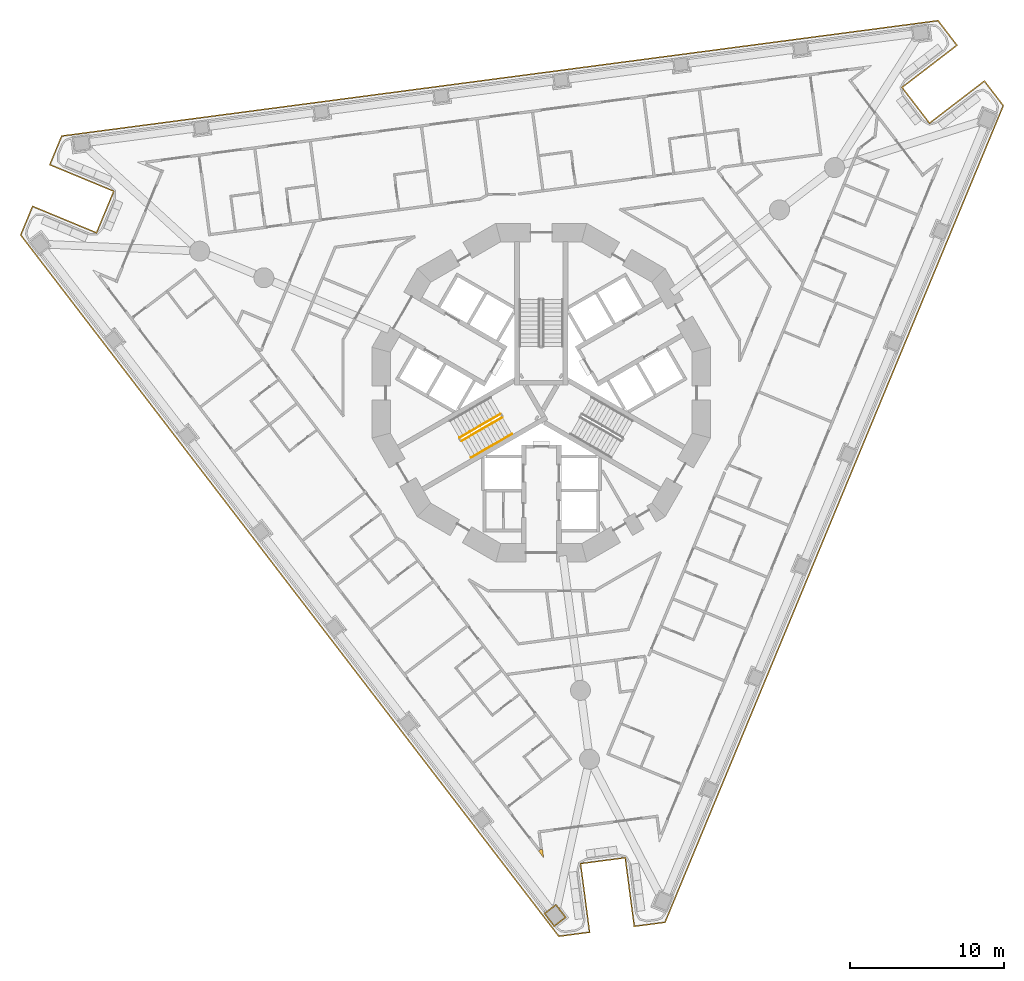
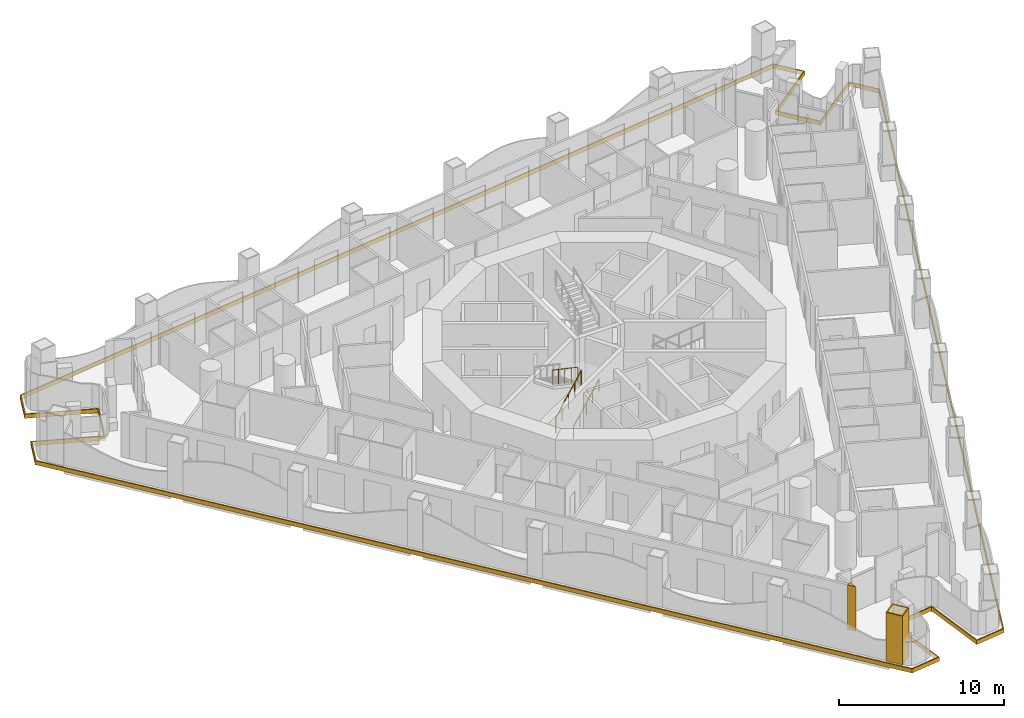
# One storey, part 13 of 19: 4 railings, 3 coverings.
"""IFC4 building model written with IfcOpenShell, lengths in metres."""

from ifc_helpers import new_model, si_unit, direction, frame, origin, origin_2d, place, context, subcontext, project, spatial, polyline, circle, outline, extrude, material, layer, layer_set, type_object, element, save


model = new_model("IFC4")

# Units and contexts
model_context = context("Model", 3, precision=1e-05, world=origin(), true_north=direction((0.0, 1.0)))
body_context = subcontext(model_context, "Body", "Model", "MODEL_VIEW")
ifc_project = project(units=[si_unit("LENGTHUNIT", "METRE"), si_unit("AREAUNIT", "SQUARE_METRE"), si_unit("VOLUMEUNIT", "CUBIC_METRE"), si_unit("PLANEANGLEUNIT", "RADIAN"), si_unit("MASSUNIT", "GRAM", prefix="KILO")], contexts=[model_context])

# Site, building, storey
site_placement = place(None, origin())
site = spatial("IfcSite", under=ifc_project, at=site_placement, CompositionType="ELEMENT")
building_placement = place(site_placement, origin())
building = spatial("IfcBuilding", under=site, at=building_placement, Name="Trine Commons Tower", CompositionType="ELEMENT")
storey_placement = place(building_placement, frame((0.0, 0.0, 72.0)))
storey = spatial("IfcBuildingStorey", under=building, at=storey_placement, Name="L17", CompositionType="ELEMENT", Elevation=72.0)

# Coverings
ifc_material_1 = material(Name="Aluminium-framed insulated wall panel", Category="aluminium")
ifc_layer_1 = layer(ifc_material_1, 0.14990234375)
ifc_layer_set_1 = layer_set([ifc_layer_1], Name="Aluminium-framed insulated wall panel")
covering_type_1 = type_object("IfcCoveringType", Name="Glazing corner post, aluminium", PredefinedType="CLADDING", material=ifc_layer_set_1)
covering_1_placement = place(storey_placement, origin())
element("IfcCovering", 1, at=covering_1_placement, inside=storey, type_object=covering_type_1, Name="Glazing corner post 2-12", PredefinedType="CLADDING", context=body_context, shape_type="SweptSolid", body=[
    extrude(outline(polyline([(79.818603515625, 32.697021484375), (80.159423828125, 32.2529296875), (80.086181640625, 32.80810546875), (79.9375, 32.788330078125), (79.818603515625, 32.697021484375)])), origin(), (0.0, 0.0, 1.0), 3.300048828125),
])
ifc_material_2 = material(Name="Limestone, honed", Category="masonry")
ifc_layer_2 = layer(ifc_material_2, 0.074951171875)
ifc_layer_set_2 = layer_set([ifc_layer_2], Name="Limestone, honed")
covering_type_2 = type_object("IfcCoveringType", Name="Limestone column cladding 75", PredefinedType="CLADDING", material=ifc_layer_set_2)
covering_2_placement = place(storey_placement, origin())
element("IfcCovering", 2, at=covering_2_placement, inside=storey, type_object=covering_type_2, Name="Limestone pier cladding 2-01", PredefinedType="CLADDING", context=body_context, shape_type="SweptSolid", body=[
    extrude(outline(polyline([(80.96142578125, 29.2529296875), (80.16796875, 28.644287109375), (80.837646484375, 27.771484375), (81.631103515625, 28.38037109375), (80.96142578125, 29.2529296875)]), holes=[polyline([(80.947509765625, 29.14794921875), (80.273193359375, 28.63037109375), (80.8515625, 27.876708984375), (81.52587890625, 28.394287109375), (80.947509765625, 29.14794921875)])]), origin(), (0.0, 0.0, 1.0), 3.60009765625),
])
ifc_layer_3 = layer(ifc_material_2, 0.074951171875)
ifc_layer_set_3 = layer_set([ifc_layer_3], Name="Limestone, honed")
covering_type_3 = type_object("IfcCoveringType", Name="Limestone spandrel panel 75", PredefinedType="CLADDING", material=ifc_layer_set_3)
covering_3_placement = place(storey_placement, frame((0.0, 0.0, -0.300048828125)))
element("IfcCovering", 3, at=covering_3_placement, inside=storey, type_object=covering_type_3, Name="Limestone spandrel panel 2-01", PredefinedType="CLADDING", context=body_context, shape_type="SweptSolid", body=[
    extrude(outline(polyline([(85.423583984375, 32.220458984375), (86.010986328125, 27.7587890625), (88.07568359375, 28.03076171875), (110.083740234375, 81.1630859375), (108.816162109375, 82.815185546875), (105.24609375, 80.07568359375), (103.510986328125, 82.3369140625), (107.081298828125, 85.076416015625), (105.8134765625, 86.728515625), (48.79541015625, 79.2216796875), (47.998291015625, 77.2978515625), (52.156005859375, 75.57568359375), (51.065185546875, 72.94287109375), (46.90771484375, 74.664794921875), (46.11083984375, 72.740966796875), (81.120849609375, 27.114990234375), (83.185302734375, 27.386962890625), (82.59814453125, 31.848388671875), (85.423583984375, 32.220458984375)]), holes=[polyline([(108.80224609375, 82.710205078125), (109.998046875, 81.15185546875), (88.02294921875, 28.099365234375), (86.07568359375, 27.843017578125), (85.48828125, 32.304443359375), (82.513916015625, 31.912841796875), (83.101318359375, 27.451416015625), (81.154052734375, 27.195068359375), (46.19677734375, 72.752197265625), (46.948486328125, 74.56689453125), (51.105712890625, 72.8447265625), (52.25390625, 75.616455078125), (48.096435546875, 77.33837890625), (48.847900390625, 79.153076171875), (105.780517578125, 86.6484375), (106.97607421875, 85.090087890625), (103.406005859375, 82.3505859375), (105.232177734375, 79.970703125), (108.80224609375, 82.710205078125)])]), origin(), (0.0, 0.0, 1.0), 0.300048828125),
])

# Railings
ifc_material_3 = material(Name="Stainless steel balustrade", Category="steel")
railing_type_1 = type_object("IfcRailingType", Name="Stair guard, steel balustrade 1100", PredefinedType="GUARDRAIL", material=ifc_material_3)
railing_1_placement = place(storey_placement, frame((74.80517578125, 59.3564453125, 0.14990234375)))
element("IfcRailing", 4, at=railing_1_placement, inside=storey, type_object=railing_type_1, Name="L17 ST2A stair guard 1", PredefinedType="GUARDRAIL", context=body_context, shape_type="SweptSolid", body=[
    extrude(circle(Radius=0.02392578125, at=origin_2d()), frame((0.0, 0.0, 1.076171875), z_axis=(0.763379768245, 0.440728498818, 0.472239049384), x_axis=(-0.499992328818, 0.866029832698, 0.0)), (0.0, 0.0, 1.0), 3.494384765625),
    extrude(circle(Radius=0.02099609375, at=origin_2d()), origin(), (0.0, 0.0, 1.0), 1.052001953125),
    extrude(circle(Radius=0.02099609375, at=origin_2d()), frame((0.6669921875, 0.385009765625, 0.41259765625)), (0.0, 0.0, 1.0), 1.052001953125),
    extrude(circle(Radius=0.02099609375, at=origin_2d()), frame((1.333740234375, 0.77001953125, 0.8251953125)), (0.0, 0.0, 1.0), 1.052001953125),
    extrude(circle(Radius=0.02099609375, at=origin_2d()), frame((2.00048828125, 1.155029296875, 1.237548828125)), (0.0, 0.0, 1.0), 1.052001953125),
    extrude(circle(Radius=0.02099609375, at=origin_2d()), frame((2.66748046875, 1.5400390625, 1.650146484375)), (0.0, 0.0, 1.0), 1.052001953125),
])
railing_2_placement = place(storey_placement, frame((77.34765625, 61.113037109375, 1.949951171875)))
element("IfcRailing", 5, at=railing_2_placement, inside=storey, type_object=railing_type_1, Name="L17 ST2A stair guard 3", PredefinedType="GUARDRAIL", context=body_context, shape_type="SweptSolid", body=[
    extrude(circle(Radius=0.02392578125, at=origin_2d()), frame((0.0, 0.0, 1.076171875), z_axis=(-0.763379768245, -0.440728498818, 0.472239049384), x_axis=(0.499992328818, -0.866029832698, 0.0)), (0.0, 0.0, 1.0), 3.494384765625),
    extrude(circle(Radius=0.02099609375, at=origin_2d()), origin(), (0.0, 0.0, 1.0), 1.052001953125),
    extrude(circle(Radius=0.02099609375, at=origin_2d()), frame((-0.6669921875, -0.385009765625, 0.41259765625)), (0.0, 0.0, 1.0), 1.052001953125),
    extrude(circle(Radius=0.02099609375, at=origin_2d()), frame((-1.333740234375, -0.77001953125, 0.8251953125)), (0.0, 0.0, 1.0), 1.052001953125),
    extrude(circle(Radius=0.02099609375, at=origin_2d()), frame((-2.00048828125, -1.155029296875, 1.237548828125)), (0.0, 0.0, 1.0), 1.052001953125),
    extrude(circle(Radius=0.02099609375, at=origin_2d()), frame((-2.66748046875, -1.5400390625, 1.650146484375)), (0.0, 0.0, 1.0), 1.052001953125),
])
ifc_material_4 = material(Name="Stainless steel handrail", Category="steel")
railing_type_2 = type_object("IfcRailingType", Name="Stair handrail, steel 900", PredefinedType="HANDRAIL", material=ifc_material_4)
railing_3_placement = place(storey_placement, frame((75.43017578125, 58.27392578125, 0.14990234375)))
element("IfcRailing", 6, at=railing_3_placement, inside=storey, type_object=railing_type_2, Name="L17 ST2A stair handrail 1", PredefinedType="HANDRAIL", context=body_context, shape_type="SweptSolid", body=[
    extrude(circle(Radius=0.02099609375, at=origin_2d()), frame((0.0, 0.0, 0.87890625), z_axis=(0.763354580307, 0.440713956853, 0.472293333596), x_axis=(-0.499992328818, 0.866029832698, 0.0)), (0.0, 0.0, 1.0), 1.747314453125),
    extrude(circle(Radius=0.01513671875, at=origin_2d()), origin(), (0.0, 0.0, 1.0), 0.85791015625),
    extrude(circle(Radius=0.01513671875, at=origin_2d()), frame((0.6669921875, 0.385009765625, 0.41259765625)), (0.0, 0.0, 1.0), 0.85791015625),
    extrude(circle(Radius=0.01513671875, at=origin_2d()), frame((1.333740234375, 0.77001953125, 0.8251953125)), (0.0, 0.0, 1.0), 0.85791015625),
])
railing_4_placement = place(storey_placement, frame((76.763916015625, 59.0439453125, 0.97509765625)))
element("IfcRailing", 7, at=railing_4_placement, inside=storey, type_object=railing_type_2, Name="L17 ST2A stair handrail 2", PredefinedType="HANDRAIL", context=body_context, shape_type="SweptSolid", body=[
    extrude(circle(Radius=0.02099609375, at=origin_2d()), frame((0.0, 0.0, 0.87890625), z_axis=(0.76340495495, 0.440743040072, 0.472184759798), x_axis=(-0.499992328818, 0.866029832698, 0.0)), (0.0, 0.0, 1.0), 1.7470703125),
    extrude(circle(Radius=0.01513671875, at=origin_2d()), origin(), (0.0, 0.0, 1.0), 0.85791015625),
    extrude(circle(Radius=0.01513671875, at=origin_2d()), frame((0.6669921875, 0.385009765625, 0.41259765625)), (0.0, 0.0, 1.0), 0.85791015625),
    extrude(circle(Radius=0.01513671875, at=origin_2d()), frame((1.333740234375, 0.77001953125, 0.824951171875)), (0.0, 0.0, 1.0), 0.85791015625),
])

save(model, "model.ifc")
